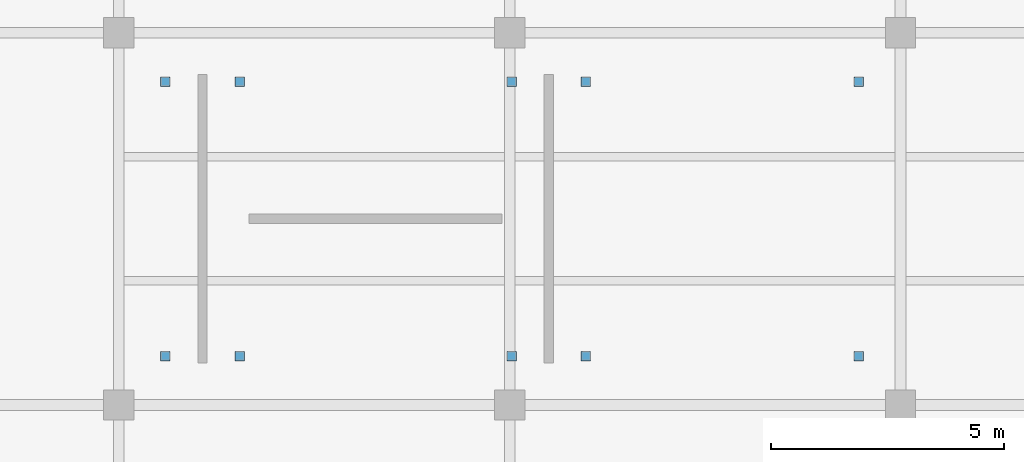
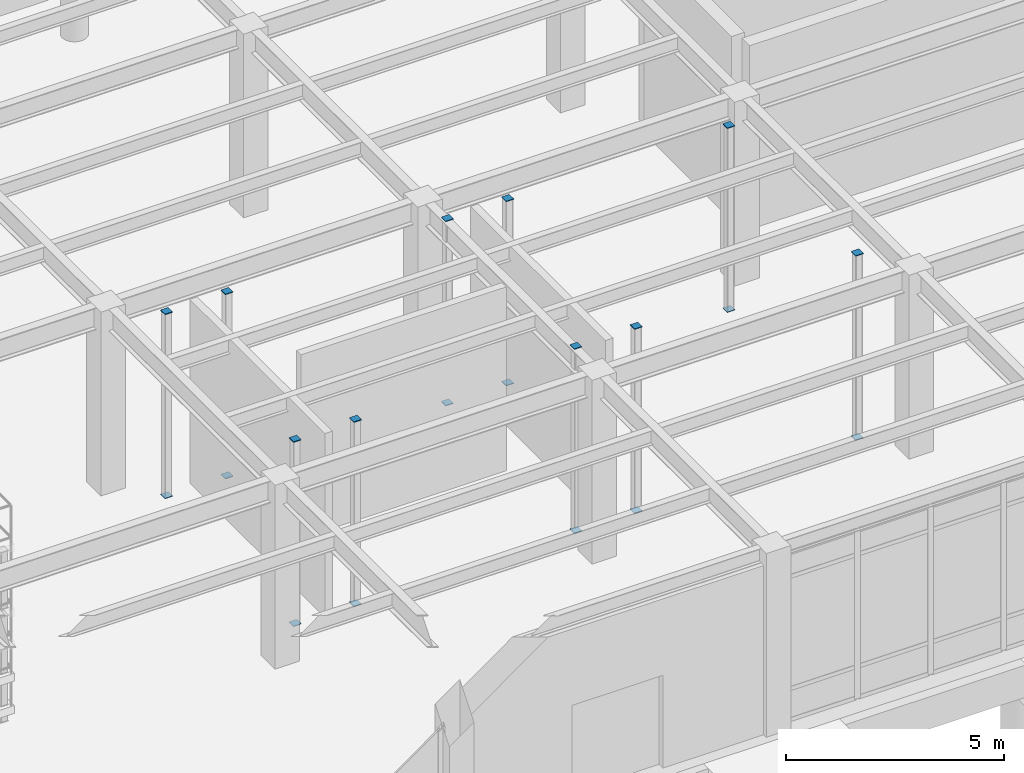
# One storey, part 93 of 138: 20 discrete accessories.
"""IFC4 building model written with IfcOpenShell, lengths in metres."""

from ifc_helpers import new_model, si_unit, direction, frame, origin, origin_2d, place, context, subcontext, project, spatial, rectangle, extrude, material, layer, layer_set, type_object, element, save


model = new_model("IFC4")

# Units and contexts
model_context = context("Model", 3, precision=1e-05, world=origin(), true_north=direction((0.0, 1.0)))
body_context = subcontext(model_context, "Body", "Model", "MODEL_VIEW")
ifc_project = project(units=[si_unit("LENGTHUNIT", "METRE"), si_unit("AREAUNIT", "SQUARE_METRE"), si_unit("VOLUMEUNIT", "CUBIC_METRE"), si_unit("PLANEANGLEUNIT", "RADIAN"), si_unit("MASSUNIT", "GRAM", prefix="KILO")], contexts=[model_context])

# Site, building, storey
site_placement = place(None, origin())
site = spatial("IfcSite", under=ifc_project, at=site_placement, CompositionType="ELEMENT")
building_placement = place(site_placement, origin())
building = spatial("IfcBuilding", under=site, at=building_placement, Name="Kranzveld Transit Interchange", CompositionType="ELEMENT")
storey_placement = place(building_placement, origin())
storey = spatial("IfcBuildingStorey", under=building, at=storey_placement, Name="L00", CompositionType="ELEMENT", Elevation=0.0)

# Discrete accessories
ifc_material = material(Name="Steel S355JR", Category="steel")
ifc_layer = layer(ifc_material, 0.02001953125)
ifc_layer_set = layer_set([ifc_layer], Name="Steel S355JR")
discrete_accessory_type = type_object("IfcDiscreteAccessoryType", Name="Hollow Section End Cap Bracket 20 S355JR", PredefinedType="BRACKET", material=ifc_layer_set)
for number, where, z_axis, x_axis, name in (
    (1, (34.60009765625, 25.050048828125, 0.00390625), (0.0, 0.0, -1.0), (1.0, 0.0, 0.0), "Hollow Section End Cap C-SHS180-1"),
    (2, (34.60009765625, 25.050048828125, 5.14599609375), (0.0, 0.0, 1.0), (1.0, 0.0, 0.0), "Hollow Section End Cap C-SHS180-2"),
    (3, (34.60009765625, 30.949951171875, 0.00390625), (0.0, 0.0, -1.0), (1.0, 0.0, 0.0), "Hollow Section End Cap C-SHS180-1"),
    (4, (34.60009765625, 30.949951171875, 5.14599609375), (0.0, 0.0, 1.0), (1.0, 0.0, 0.0), "Hollow Section End Cap C-SHS180-2"),
    (5, (36.199951171875, 25.050048828125, 0.00390625), (0.0, 0.0, -1.0), (1.0, 0.0, 0.0), "Hollow Section End Cap C-SHS180-1"),
    (6, (36.199951171875, 25.050048828125, 5.14599609375), (0.0, 0.0, 1.0), (1.0, 0.0, 0.0), "Hollow Section End Cap C-SHS180-2"),
    (7, (36.199951171875, 30.949951171875, 0.00390625), (0.0, 0.0, -1.0), (1.0, 0.0, 0.0), "Hollow Section End Cap C-SHS180-1"),
    (8, (36.199951171875, 30.949951171875, 5.14599609375), (0.0, 0.0, 1.0), (1.0, 0.0, 0.0), "Hollow Section End Cap C-SHS180-2"),
    (9, (42.0400390625, 25.050048828125, 0.00390625), (0.0, 0.0, -1.0), (1.0, 0.0, 0.0), "Hollow Section End Cap C-SHS180-1"),
    (10, (42.0400390625, 25.050048828125, 5.14599609375), (0.0, 0.0, 1.0), (1.0, 0.0, 0.0), "Hollow Section End Cap C-SHS180-2"),
    (11, (42.0400390625, 30.949951171875, 0.00390625), (0.0, 0.0, -1.0), (1.0, 0.0, 0.0), "Hollow Section End Cap C-SHS180-1"),
    (12, (42.0400390625, 30.949951171875, 5.14599609375), (0.0, 0.0, 1.0), (1.0, 0.0, 0.0), "Hollow Section End Cap C-SHS180-2"),
    (13, (43.639892578125, 25.050048828125, 0.00390625), (0.0, 0.0, -1.0), (1.0, 0.0, 0.0), "Hollow Section End Cap C-SHS180-1"),
    (14, (43.639892578125, 25.050048828125, 5.14599609375), (0.0, 0.0, 1.0), (1.0, 0.0, 0.0), "Hollow Section End Cap C-SHS180-2"),
    (15, (43.639892578125, 30.949951171875, 0.00390625), (0.0, 0.0, -1.0), (1.0, 0.0, 0.0), "Hollow Section End Cap C-SHS180-1"),
    (16, (43.639892578125, 30.949951171875, 5.14599609375), (0.0, 0.0, 1.0), (1.0, 0.0, 0.0), "Hollow Section End Cap C-SHS180-2"),
    (17, (49.5, 25.050048828125, 0.00390625), (0.0, 0.0, -1.0), (1.0, 0.0, 0.0), "Hollow Section End Cap C-SHS180-1"),
    (18, (49.5, 25.050048828125, 5.14599609375), (0.0, 0.0, 1.0), (1.0, 0.0, 0.0), "Hollow Section End Cap C-SHS180-2"),
    (19, (49.5, 30.949951171875, 0.00390625), (0.0, 0.0, -1.0), (1.0, 0.0, 0.0), "Hollow Section End Cap C-SHS180-1"),
    (20, (49.5, 30.949951171875, 5.14599609375), (0.0, 0.0, 1.0), (1.0, 0.0, 0.0), "Hollow Section End Cap C-SHS180-2"),
):
    element("IfcDiscreteAccessory", number, at=place(storey_placement, frame(where, z_axis=z_axis, x_axis=x_axis)), inside=storey, type_object=discrete_accessory_type, Name=name, PredefinedType="BRACKET", context=body_context, shape_type="SweptSolid", body=[
        extrude(rectangle(XDim=0.2041015625, YDim=0.2041015625, at=origin_2d()), origin(), (0.0, 0.0, 1.0), 0.02001953125),
    ])

save(model, "model.ifc")
